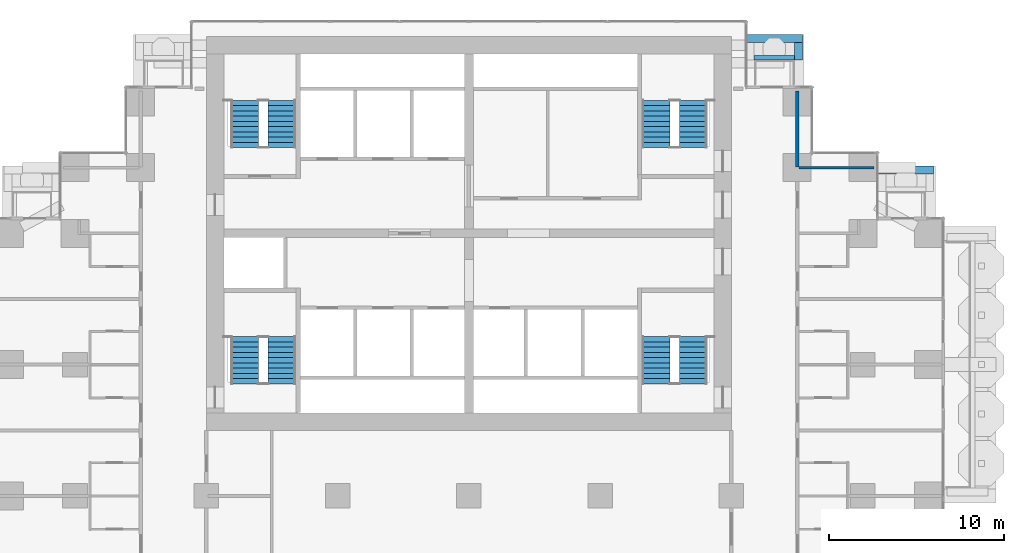
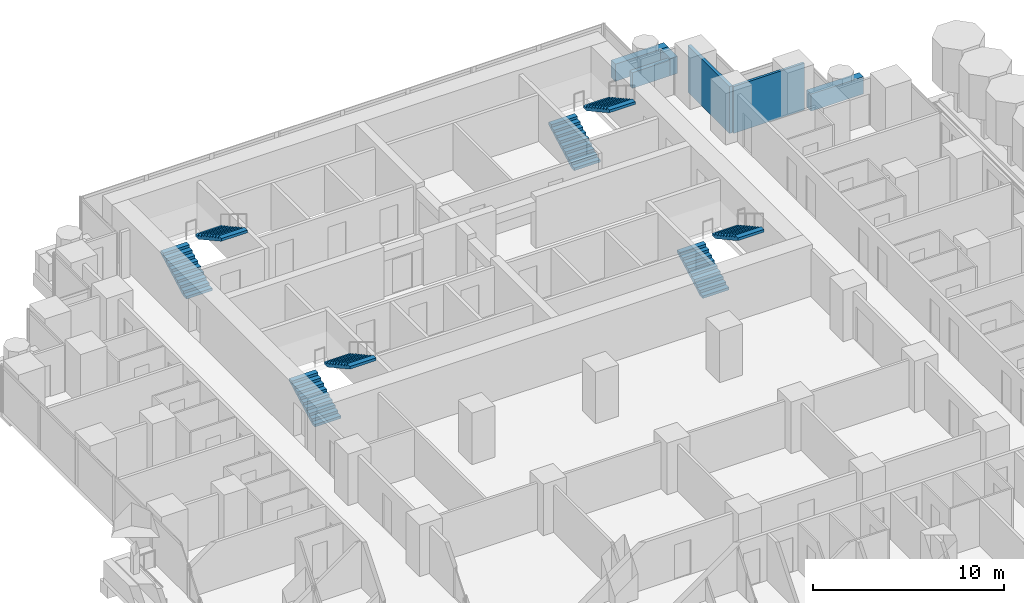
# One storey, part 16 of 19: 8 stair flights, 6 walls, 4 elements without a shape of their own.
"""IFC4 building model written with IfcOpenShell, lengths in metres."""

from ifc_helpers import new_model, si_unit, direction, frame, frame_2d, origin, place, context, subcontext, project, spatial, polyline, rectangle, outline, extrude, material, layer, layer_set, type_object, element, aggregate, save


model = new_model("IFC4")

# Units and contexts
model_context = context("Model", 3, precision=1e-05, world=origin(), true_north=direction((0.0, 1.0)))
body_context = subcontext(model_context, "Body", "Model", "MODEL_VIEW")
ifc_project = project(units=[si_unit("LENGTHUNIT", "METRE"), si_unit("AREAUNIT", "SQUARE_METRE"), si_unit("VOLUMEUNIT", "CUBIC_METRE"), si_unit("PLANEANGLEUNIT", "RADIAN"), si_unit("MASSUNIT", "GRAM", prefix="KILO")], contexts=[model_context])

# Site, building, storey
site_placement = place(None, origin())
site = spatial("IfcSite", under=ifc_project, at=site_placement, CompositionType="ELEMENT")
building_placement = place(site_placement, origin())
building = spatial("IfcBuilding", under=site, at=building_placement, Name="Pilkhan Gate Tower", CompositionType="ELEMENT")
storey_placement = place(building_placement, frame((0.0, 0.0, 39.5)))
storey = spatial("IfcBuildingStorey", under=building, at=storey_placement, Name="L06", CompositionType="ELEMENT", Elevation=39.5)

# Walls
ifc_material_1 = material(Name="Concrete C40/50", Category="concrete")
ifc_layer_1 = layer(ifc_material_1, 0.25)
ifc_layer_set_1 = layer_set([ifc_layer_1], Name="Balcony planter BP250")
wall_type_1 = type_object("IfcWallType", Name="Balcony planter BP250", PredefinedType="USERDEFINED", material=ifc_layer_set_1)
wall_1_placement = place(storey_placement, frame((91.300048828125, 92.52490234375, 0.0), z_axis=(0.0, 0.0, 1.0), x_axis=(1.0, 0.0, 0.0)))
element("IfcWall", 1, at=wall_1_placement, inside=storey, type_object=wall_type_1, Name="Balcony planter L06 N", ObjectType="BALCONY PLANTER", PredefinedType="USERDEFINED", context=body_context, shape_type="SweptSolid", body=[
    extrude(rectangle(XDim=2.300048828125, YDim=0.25, at=frame_2d((1.14990234375, 0.0))), origin(), (0.0, 0.0, 1.0), 1.0),
])
ifc_material_2 = material(Name="Board-marked Concrete C40/50", Category="concrete")
ifc_layer_2 = layer(ifc_material_2, 0.449951171875)
ifc_layer_set_2 = layer_set([ifc_layer_2], Name="Balcony planter lip BL450")
wall_type_2 = type_object("IfcWallType", Name="Balcony planter lip BL450", PredefinedType="USERDEFINED", material=ifc_layer_set_2)
wall_2_placement = place(storey_placement, frame((90.85009765625, 93.625, 0.0), z_axis=(0.0, 0.0, 1.0), x_axis=(1.0, 0.0, 0.0)))
element("IfcWall", 2, at=wall_2_placement, inside=storey, type_object=wall_type_2, Name="Balcony planter L06 N", ObjectType="BALCONY PLANTER", PredefinedType="USERDEFINED", context=body_context, shape_type="SweptSolid", body=[
    extrude(rectangle(XDim=3.199951171875, YDim=0.449951171875, at=frame_2d((1.60009765625, 0.0))), origin(), (0.0, 0.0, 1.0), 1.10009765625),
])
wall_3_placement = place(storey_placement, frame((93.824951171875, 92.39990234375, 0.0), z_axis=(0.0, 0.0, 1.0), x_axis=(0.0, 1.0, 0.0)))
element("IfcWall", 3, at=wall_3_placement, inside=storey, type_object=wall_type_2, Name="Balcony planter L06 N", ObjectType="BALCONY PLANTER", PredefinedType="USERDEFINED", context=body_context, shape_type="SweptSolid", body=[
    extrude(rectangle(XDim=1.0, YDim=0.449951171875, at=frame_2d((0.5, 0.0))), origin(), (0.0, 0.0, 1.0), 1.10009765625),
])
wall_4_placement = place(storey_placement, frame((98.3701171875, 86.125, 0.0), z_axis=(0.0, 0.0, 1.0), x_axis=(1.0, 0.0, 0.0)))
element("IfcWall", 4, at=wall_4_placement, inside=storey, type_object=wall_type_2, Name="Balcony planter L06 N", ObjectType="BALCONY PLANTER", PredefinedType="USERDEFINED", context=body_context, shape_type="SweptSolid", body=[
    extrude(rectangle(XDim=3.179931640625, YDim=0.449951171875, at=frame_2d((1.58984375, 0.0))), origin(), (0.0, 0.0, 1.0), 1.10009765625),
])
ifc_material_3 = material(Name="Dense blockwork", Category="masonry")
ifc_layer_3 = layer(ifc_material_3, 0.199951171875)
ifc_layer_set_3 = layer_set([ifc_layer_3], Name="Corridor wall FW200")
wall_type_3 = type_object("IfcWallType", Name="Corridor wall FW200", PredefinedType="PARTITIONING", material=ifc_layer_set_3)
wall_5_placement = place(storey_placement, frame((93.75, 86.280029296875, 0.0), z_axis=(0.0, 0.0, 1.0), x_axis=(0.0, 1.0, 0.0)))
element("IfcWall", 5, at=wall_5_placement, inside=storey, type_object=wall_type_3, Name="Partition L06", PredefinedType="PARTITIONING", context=body_context, shape_type="SweptSolid", body=[
    extrude(rectangle(XDim=4.364990234375, YDim=0.199951171875, at=frame_2d((2.1826171875, 0.0))), origin(), (0.0, 0.0, 1.0), 3.0),
])
ifc_material_4 = material(Name="Blockwork partition, plastered both sides", Category="masonry")
ifc_layer_4 = layer(ifc_material_4, 0.14990234375)
ifc_layer_set_4 = layer_set([ifc_layer_4], Name="Partition PW150")
wall_type_4 = type_object("IfcWallType", Name="Partition PW150", PredefinedType="PARTITIONING", material=ifc_layer_set_4)
wall_6_placement = place(storey_placement, frame((93.85009765625, 86.25, 0.0), z_axis=(0.0, 0.0, 1.0), x_axis=(1.0, 0.0, 0.0)))
element("IfcWall", 6, at=wall_6_placement, inside=storey, type_object=wall_type_4, Name="Partition L06", PredefinedType="PARTITIONING", context=body_context, shape_type="SweptSolid", body=[
    extrude(rectangle(XDim=4.294921875, YDim=0.14990234375, at=frame_2d((2.1474609375, 0.0))), origin(), (0.0, 0.0, 1.0), 3.0),
])

# Stair, stair flights
ifc_material_5 = material(Name="Concrete C40/50 precast", Category="concrete")
stair_type_1 = type_object("IfcStairType", Name="Stair ST1 165x300", PredefinedType="HALF_TURN_STAIR", material=ifc_material_5)
stair_1_placement = place(storey_placement, origin())
stair_1 = element("IfcStair", 7, at=stair_1_placement, inside=storey, type_object=stair_type_1, Name="Stair ST1 L06", PredefinedType="HALF_TURN_STAIR")
stair_flight_type_1 = type_object("IfcStairFlightType", Name="Stair flight ST1 165x300x10", PredefinedType="STRAIGHT", material=ifc_material_5)
stair_flight_1_placement = place(storey_placement, frame((85.68994140625, 73.89990234375, 0.0), z_axis=(0.0, 0.0, 1.0), x_axis=(0.0, 1.0, 0.0)))
stair_flight_1 = element("IfcStairFlight", 8, at=stair_flight_1_placement, type_object=stair_flight_type_1, Name="ST1 flight 1", NumberOfRisers=10, NumberOfTreads=9, PredefinedType="STRAIGHT", RiserHeight=0.165, TreadLength=0.3, context=body_context, shape_type="SweptSolid", body=[
    extrude(outline(polyline([(0.0, 0.0), (0.0, 0.1650390625), (0.300048828125, 0.1650390625), (0.300048828125, 0.330078125), (0.60009765625, 0.330078125), (0.60009765625, 0.4951171875), (0.89990234375, 0.4951171875), (0.89990234375, 0.659912109375), (1.199951171875, 0.659912109375), (1.199951171875, 0.824951171875), (1.5, 0.824951171875), (1.5, 0.989990234375), (1.800048828125, 0.989990234375), (1.800048828125, 1.155029296875), (2.10009765625, 1.155029296875), (2.10009765625, 1.320068359375), (2.39990234375, 1.320068359375), (2.39990234375, 1.485107421875), (2.699951171875, 1.485107421875), (2.699951171875, 1.64990234375), (2.699951171875, 1.31396484375), (0.31103515625, 0.0), (0.0, 0.0)])), frame((0.0, 0.7900390625, 0.0), z_axis=(0.0, -1.0, 0.0), x_axis=(1.0, 0.0, 0.0)), (0.0, 0.0, 1.0), 1.580078125),
])
stair_flight_2_placement = place(storey_placement, frame((87.81005859375, 76.60009765625, 1.64990234375), z_axis=(0.0, 0.0, 1.0), x_axis=(0.0, -1.0, 0.0)))
stair_flight_2 = element("IfcStairFlight", 9, at=stair_flight_2_placement, type_object=stair_flight_type_1, Name="ST1 flight 2", NumberOfRisers=10, NumberOfTreads=9, PredefinedType="STRAIGHT", RiserHeight=0.165, TreadLength=0.3, context=body_context, shape_type="SweptSolid", body=[
    extrude(outline(polyline([(0.0, 0.0), (0.0, 0.1650390625), (0.300048828125, 0.1650390625), (0.300048828125, 0.330078125), (0.60009765625, 0.330078125), (0.60009765625, 0.4951171875), (0.89990234375, 0.4951171875), (0.89990234375, 0.659912109375), (1.199951171875, 0.659912109375), (1.199951171875, 0.824951171875), (1.5, 0.824951171875), (1.5, 0.989990234375), (1.800048828125, 0.989990234375), (1.800048828125, 1.155029296875), (2.10009765625, 1.155029296875), (2.10009765625, 1.320068359375), (2.39990234375, 1.320068359375), (2.39990234375, 1.485107421875), (2.699951171875, 1.485107421875), (2.699951171875, 1.64990234375), (2.699951171875, 1.31396484375), (0.31103515625, 0.0), (0.0, 0.0)])), frame((0.0, 0.7900390625, 0.0), z_axis=(0.0, -1.0, 0.0), x_axis=(1.0, 0.0, 0.0)), (0.0, 0.0, 1.0), 1.580078125),
])
aggregate(stair_1, [stair_flight_1, stair_flight_2])

stair_type_2 = type_object("IfcStairType", Name="Stair ST2 165x300", PredefinedType="HALF_TURN_STAIR", material=ifc_material_5)
stair_2_placement = place(storey_placement, origin())
stair_2 = element("IfcStair", 10, at=stair_2_placement, inside=storey, type_object=stair_type_2, Name="Stair ST2 L06", PredefinedType="HALF_TURN_STAIR")
stair_flight_type_2 = type_object("IfcStairFlightType", Name="Stair flight ST2 165x300x10", PredefinedType="STRAIGHT", material=ifc_material_5)
stair_flight_3_placement = place(storey_placement, frame((62.18994140625, 73.89990234375, 0.0), z_axis=(0.0, 0.0, 1.0), x_axis=(0.0, 1.0, 0.0)))
stair_flight_3 = element("IfcStairFlight", 11, at=stair_flight_3_placement, type_object=stair_flight_type_2, Name="ST2 flight 1", NumberOfRisers=10, NumberOfTreads=9, PredefinedType="STRAIGHT", RiserHeight=0.165, TreadLength=0.3, context=body_context, shape_type="SweptSolid", body=[
    extrude(outline(polyline([(0.0, 0.0), (0.0, 0.1650390625), (0.300048828125, 0.1650390625), (0.300048828125, 0.330078125), (0.60009765625, 0.330078125), (0.60009765625, 0.4951171875), (0.89990234375, 0.4951171875), (0.89990234375, 0.659912109375), (1.199951171875, 0.659912109375), (1.199951171875, 0.824951171875), (1.5, 0.824951171875), (1.5, 0.989990234375), (1.800048828125, 0.989990234375), (1.800048828125, 1.155029296875), (2.10009765625, 1.155029296875), (2.10009765625, 1.320068359375), (2.39990234375, 1.320068359375), (2.39990234375, 1.485107421875), (2.699951171875, 1.485107421875), (2.699951171875, 1.64990234375), (2.699951171875, 1.31396484375), (0.31103515625, 0.0), (0.0, 0.0)])), frame((0.0, 0.7900390625, 0.0), z_axis=(0.0, -1.0, 0.0), x_axis=(1.0, 0.0, 0.0)), (0.0, 0.0, 1.0), 1.580078125),
])
stair_flight_4_placement = place(storey_placement, frame((64.31005859375, 76.60009765625, 1.64990234375), z_axis=(0.0, 0.0, 1.0), x_axis=(0.0, -1.0, 0.0)))
stair_flight_4 = element("IfcStairFlight", 12, at=stair_flight_4_placement, type_object=stair_flight_type_2, Name="ST2 flight 2", NumberOfRisers=10, NumberOfTreads=9, PredefinedType="STRAIGHT", RiserHeight=0.165, TreadLength=0.3, context=body_context, shape_type="SweptSolid", body=[
    extrude(outline(polyline([(0.0, 0.0), (0.0, 0.1650390625), (0.300048828125, 0.1650390625), (0.300048828125, 0.330078125), (0.60009765625, 0.330078125), (0.60009765625, 0.4951171875), (0.89990234375, 0.4951171875), (0.89990234375, 0.659912109375), (1.199951171875, 0.659912109375), (1.199951171875, 0.824951171875), (1.5, 0.824951171875), (1.5, 0.989990234375), (1.800048828125, 0.989990234375), (1.800048828125, 1.155029296875), (2.10009765625, 1.155029296875), (2.10009765625, 1.320068359375), (2.39990234375, 1.320068359375), (2.39990234375, 1.485107421875), (2.699951171875, 1.485107421875), (2.699951171875, 1.64990234375), (2.699951171875, 1.31396484375), (0.31103515625, 0.0), (0.0, 0.0)])), frame((0.0, 0.7900390625, 0.0), z_axis=(0.0, -1.0, 0.0), x_axis=(1.0, 0.0, 0.0)), (0.0, 0.0, 1.0), 1.580078125),
])
aggregate(stair_2, [stair_flight_3, stair_flight_4])

stair_type_3 = type_object("IfcStairType", Name="Stair ST3 165x300", PredefinedType="HALF_TURN_STAIR", material=ifc_material_5)
stair_3_placement = place(storey_placement, origin())
stair_3 = element("IfcStair", 13, at=stair_3_placement, inside=storey, type_object=stair_type_3, Name="Stair ST3 L06", PredefinedType="HALF_TURN_STAIR")
stair_flight_type_3 = type_object("IfcStairFlightType", Name="Stair flight ST3 165x300x10", PredefinedType="STRAIGHT", material=ifc_material_5)
stair_flight_5_placement = place(storey_placement, frame((62.18994140625, 87.39990234375, 0.0), z_axis=(0.0, 0.0, 1.0), x_axis=(0.0, 1.0, 0.0)))
stair_flight_5 = element("IfcStairFlight", 14, at=stair_flight_5_placement, type_object=stair_flight_type_3, Name="ST3 flight 1", NumberOfRisers=10, NumberOfTreads=9, PredefinedType="STRAIGHT", RiserHeight=0.165, TreadLength=0.3, context=body_context, shape_type="SweptSolid", body=[
    extrude(outline(polyline([(0.0, 0.0), (0.0, 0.1650390625), (0.300048828125, 0.1650390625), (0.300048828125, 0.330078125), (0.60009765625, 0.330078125), (0.60009765625, 0.4951171875), (0.89990234375, 0.4951171875), (0.89990234375, 0.659912109375), (1.199951171875, 0.659912109375), (1.199951171875, 0.824951171875), (1.5, 0.824951171875), (1.5, 0.989990234375), (1.800048828125, 0.989990234375), (1.800048828125, 1.155029296875), (2.10009765625, 1.155029296875), (2.10009765625, 1.320068359375), (2.39990234375, 1.320068359375), (2.39990234375, 1.485107421875), (2.699951171875, 1.485107421875), (2.699951171875, 1.64990234375), (2.699951171875, 1.31396484375), (0.31103515625, 0.0), (0.0, 0.0)])), frame((0.0, 0.7900390625, 0.0), z_axis=(0.0, -1.0, 0.0), x_axis=(1.0, 0.0, 0.0)), (0.0, 0.0, 1.0), 1.580078125),
])
stair_flight_6_placement = place(storey_placement, frame((64.31005859375, 90.10009765625, 1.64990234375), z_axis=(0.0, 0.0, 1.0), x_axis=(0.0, -1.0, 0.0)))
stair_flight_6 = element("IfcStairFlight", 15, at=stair_flight_6_placement, type_object=stair_flight_type_3, Name="ST3 flight 2", NumberOfRisers=10, NumberOfTreads=9, PredefinedType="STRAIGHT", RiserHeight=0.165, TreadLength=0.3, context=body_context, shape_type="SweptSolid", body=[
    extrude(outline(polyline([(0.0, 0.0), (0.0, 0.1650390625), (0.300048828125, 0.1650390625), (0.300048828125, 0.330078125), (0.60009765625, 0.330078125), (0.60009765625, 0.4951171875), (0.89990234375, 0.4951171875), (0.89990234375, 0.659912109375), (1.199951171875, 0.659912109375), (1.199951171875, 0.824951171875), (1.5, 0.824951171875), (1.5, 0.989990234375), (1.800048828125, 0.989990234375), (1.800048828125, 1.155029296875), (2.10009765625, 1.155029296875), (2.10009765625, 1.320068359375), (2.39990234375, 1.320068359375), (2.39990234375, 1.485107421875), (2.699951171875, 1.485107421875), (2.699951171875, 1.64990234375), (2.699951171875, 1.31396484375), (0.31103515625, 0.0), (0.0, 0.0)])), frame((0.0, 0.7900390625, 0.0), z_axis=(0.0, -1.0, 0.0), x_axis=(1.0, 0.0, 0.0)), (0.0, 0.0, 1.0), 1.580078125),
])
aggregate(stair_3, [stair_flight_5, stair_flight_6])

stair_type_4 = type_object("IfcStairType", Name="Stair ST4 165x300", PredefinedType="HALF_TURN_STAIR", material=ifc_material_5)
stair_4_placement = place(storey_placement, origin())
stair_4 = element("IfcStair", 16, at=stair_4_placement, inside=storey, type_object=stair_type_4, Name="Stair ST4 L06", PredefinedType="HALF_TURN_STAIR")
stair_flight_type_4 = type_object("IfcStairFlightType", Name="Stair flight ST4 165x300x10", PredefinedType="STRAIGHT", material=ifc_material_5)
stair_flight_7_placement = place(storey_placement, frame((85.68994140625, 87.39990234375, 0.0), z_axis=(0.0, 0.0, 1.0), x_axis=(0.0, 1.0, 0.0)))
stair_flight_7 = element("IfcStairFlight", 17, at=stair_flight_7_placement, type_object=stair_flight_type_4, Name="ST4 flight 1", NumberOfRisers=10, NumberOfTreads=9, PredefinedType="STRAIGHT", RiserHeight=0.165, TreadLength=0.3, context=body_context, shape_type="SweptSolid", body=[
    extrude(outline(polyline([(0.0, 0.0), (0.0, 0.1650390625), (0.300048828125, 0.1650390625), (0.300048828125, 0.330078125), (0.60009765625, 0.330078125), (0.60009765625, 0.4951171875), (0.89990234375, 0.4951171875), (0.89990234375, 0.659912109375), (1.199951171875, 0.659912109375), (1.199951171875, 0.824951171875), (1.5, 0.824951171875), (1.5, 0.989990234375), (1.800048828125, 0.989990234375), (1.800048828125, 1.155029296875), (2.10009765625, 1.155029296875), (2.10009765625, 1.320068359375), (2.39990234375, 1.320068359375), (2.39990234375, 1.485107421875), (2.699951171875, 1.485107421875), (2.699951171875, 1.64990234375), (2.699951171875, 1.31396484375), (0.31103515625, 0.0), (0.0, 0.0)])), frame((0.0, 0.7900390625, 0.0), z_axis=(0.0, -1.0, 0.0), x_axis=(1.0, 0.0, 0.0)), (0.0, 0.0, 1.0), 1.580078125),
])
stair_flight_8_placement = place(storey_placement, frame((87.81005859375, 90.10009765625, 1.64990234375), z_axis=(0.0, 0.0, 1.0), x_axis=(0.0, -1.0, 0.0)))
stair_flight_8 = element("IfcStairFlight", 18, at=stair_flight_8_placement, type_object=stair_flight_type_4, Name="ST4 flight 2", NumberOfRisers=10, NumberOfTreads=9, PredefinedType="STRAIGHT", RiserHeight=0.165, TreadLength=0.3, context=body_context, shape_type="SweptSolid", body=[
    extrude(outline(polyline([(0.0, 0.0), (0.0, 0.1650390625), (0.300048828125, 0.1650390625), (0.300048828125, 0.330078125), (0.60009765625, 0.330078125), (0.60009765625, 0.4951171875), (0.89990234375, 0.4951171875), (0.89990234375, 0.659912109375), (1.199951171875, 0.659912109375), (1.199951171875, 0.824951171875), (1.5, 0.824951171875), (1.5, 0.989990234375), (1.800048828125, 0.989990234375), (1.800048828125, 1.155029296875), (2.10009765625, 1.155029296875), (2.10009765625, 1.320068359375), (2.39990234375, 1.320068359375), (2.39990234375, 1.485107421875), (2.699951171875, 1.485107421875), (2.699951171875, 1.64990234375), (2.699951171875, 1.31396484375), (0.31103515625, 0.0), (0.0, 0.0)])), frame((0.0, 0.7900390625, 0.0), z_axis=(0.0, -1.0, 0.0), x_axis=(1.0, 0.0, 0.0)), (0.0, 0.0, 1.0), 1.580078125),
])
aggregate(stair_4, [stair_flight_7, stair_flight_8])

save(model, "model.ifc")
